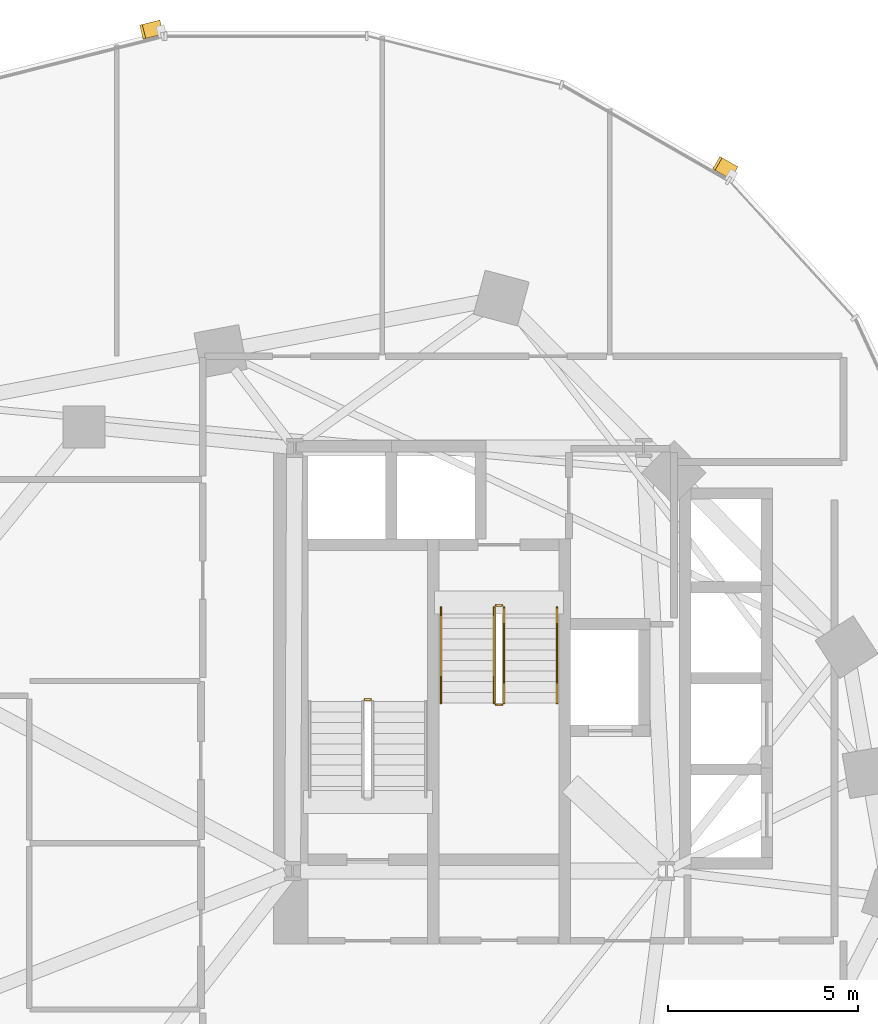
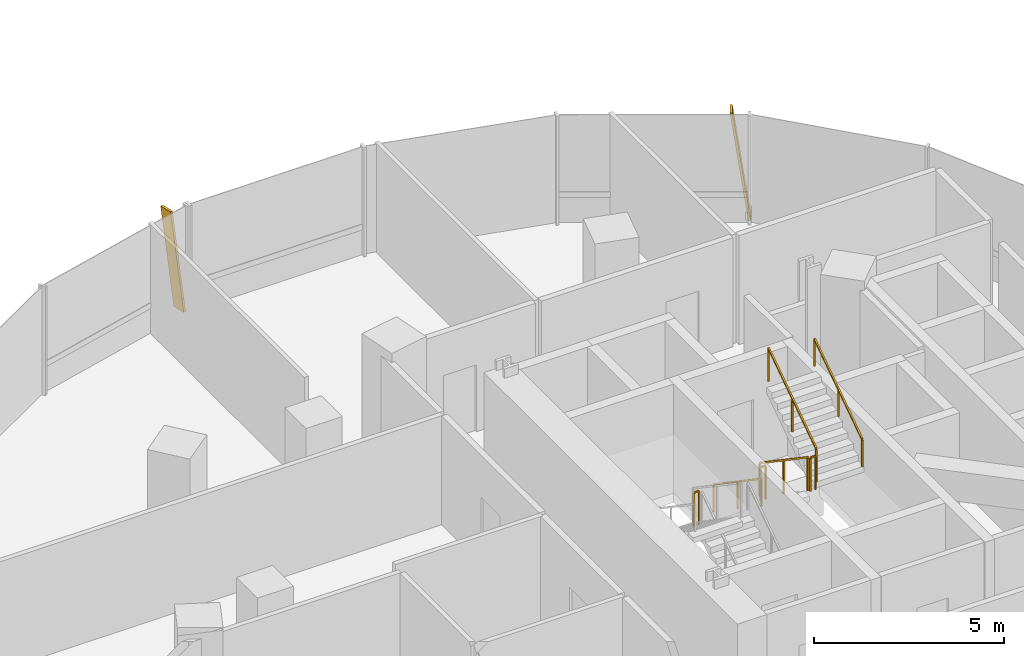
# One storey, part 20 of 22: 7 railings, 2 shading devices.
"""IFC4 building model written with IfcOpenShell, lengths in metres."""

from ifc_helpers import new_model, si_unit, direction, frame, origin, origin_2d, place, context, subcontext, project, spatial, rectangle, extrude, material, material_profile, profile_set, type_object, element, save


model = new_model("IFC4")

# Units and contexts
model_context = context("Model", 3, precision=1e-05, world=origin(), true_north=direction((0.0, 1.0)))
body_context = subcontext(model_context, "Body", "Model", "MODEL_VIEW")
ifc_project = project(units=[si_unit("LENGTHUNIT", "METRE"), si_unit("AREAUNIT", "SQUARE_METRE"), si_unit("VOLUMEUNIT", "CUBIC_METRE"), si_unit("PLANEANGLEUNIT", "RADIAN"), si_unit("MASSUNIT", "GRAM", prefix="KILO"), si_unit("THERMODYNAMICTEMPERATUREUNIT", "KELVIN"), si_unit("POWERUNIT", "WATT")], contexts=[model_context])

# Site, building, storey
site_placement = place(None, origin())
site = spatial("IfcSite", under=ifc_project, at=site_placement, CompositionType="ELEMENT")
building_placement = place(site_placement, origin())
building = spatial("IfcBuilding", under=site, at=building_placement, Name="Cundina Bronze Exchange", CompositionType="ELEMENT")
storey_placement = place(building_placement, frame((0.0, 0.0, 43.0)))
storey = spatial("IfcBuildingStorey", under=building, at=storey_placement, Name="L10", CompositionType="ELEMENT", Elevation=43.0)

# Railings
ifc_material_1 = material(Name="Steel ASTM A36 Painted", Category="steel")
railing_type_1 = type_object("IfcRailingType", Name="RLG-HND-900", PredefinedType="HANDRAIL", material=ifc_material_1)
railing_1_placement = place(storey_placement, frame((-27.389892578125, 10.85009765625, 0.18994140625)))
element("IfcRailing", 1, at=railing_1_placement, inside=storey, type_object=railing_type_1, Name="L10 ST-W2 stair handrail 1", PredefinedType="HANDRAIL", context=body_context, shape_type="SweptSolid", body=[
    extrude(rectangle(XDim=0.048095703125, YDim=0.048095703125, at=origin_2d()), frame((0.0, 0.0, 0.8759765625), z_axis=(0.0, -0.827483756001, 0.561489655786), x_axis=(1.0, 0.0, 0.0)), (0.0, 0.0, 1.0), 3.04541015625),
    extrude(rectangle(XDim=0.0419921875, YDim=0.0419921875, at=origin_2d()), origin(), (0.0, 0.0, 1.0), 0.851806640625),
    extrude(rectangle(XDim=0.0419921875, YDim=0.0419921875, at=origin_2d()), frame((0.0, -1.260009765625, 0.85498046875)), (0.0, 0.0, 1.0), 0.851806640625),
    extrude(rectangle(XDim=0.0419921875, YDim=0.0419921875, at=origin_2d()), frame((0.0, -2.52001953125, 1.7099609375)), (0.0, 0.0, 1.0), 0.851806640625),
])
railing_2_placement = place(storey_placement, frame((-24.330078125, 8.330078125, 2.090087890625)))
element("IfcRailing", 2, at=railing_2_placement, inside=storey, type_object=railing_type_1, Name="L10 ST-W2 stair handrail 2", PredefinedType="HANDRAIL", context=body_context, shape_type="SweptSolid", body=[
    extrude(rectangle(XDim=0.048095703125, YDim=0.048095703125, at=origin_2d()), frame((0.0, 0.0, 0.8759765625), z_axis=(0.0, 0.827483756001, 0.561489655786), x_axis=(-1.0, 0.0, 0.0)), (0.0, 0.0, 1.0), 3.04541015625),
    extrude(rectangle(XDim=0.0419921875, YDim=0.0419921875, at=origin_2d()), origin(), (0.0, 0.0, 1.0), 0.851806640625),
    extrude(rectangle(XDim=0.0419921875, YDim=0.0419921875, at=origin_2d()), frame((0.0, 1.260009765625, 0.85498046875)), (0.0, 0.0, 1.0), 0.851806640625),
    extrude(rectangle(XDim=0.0419921875, YDim=0.0419921875, at=origin_2d()), frame((0.0, 2.52001953125, 1.7099609375)), (0.0, 0.0, 1.0), 0.851806640625),
])
railing_type_2 = type_object("IfcRailingType", Name="RLG-STG-1100", PredefinedType="GUARDRAIL", material=ifc_material_1)
railing_3_placement = place(storey_placement, frame((-29.239990234375, 8.419921875, 1.89990234375)))
element("IfcRailing", 3, at=railing_3_placement, inside=storey, type_object=railing_type_2, Name="L10 ST-W1 stair guard 2", PredefinedType="GUARDRAIL", context=body_context, shape_type="SweptSolid", body=[
    extrude(rectangle(XDim=0.048095703125, YDim=0.048095703125, at=origin_2d()), frame((0.0, 0.0, 1.076171875), z_axis=(-1.0, 0.0, 0.0), x_axis=(0.0, -1.0, 0.0)), (0.0, 0.0, 1.0), 0.159912109375),
    extrude(rectangle(XDim=0.0419921875, YDim=0.0419921875, at=origin_2d()), origin(), (0.0, 0.0, 1.0), 1.052001953125),
    extrude(rectangle(XDim=0.0419921875, YDim=0.0419921875, at=origin_2d()), frame((-0.159912109375, 0.0, 0.0)), (0.0, 0.0, 1.0), 1.052001953125),
])
railing_4_placement = place(storey_placement, frame((-25.989990234375, 10.85009765625, 0.18994140625)))
element("IfcRailing", 4, at=railing_4_placement, inside=storey, type_object=railing_type_2, Name="L10 ST-W2 stair guard 1", PredefinedType="GUARDRAIL", context=body_context, shape_type="SweptSolid", body=[
    extrude(rectangle(XDim=0.048095703125, YDim=0.048095703125, at=origin_2d()), frame((0.0, 0.0, 1.076171875), z_axis=(0.0, -0.827483756001, 0.561489655786), x_axis=(1.0, 0.0, 0.0)), (0.0, 0.0, 1.0), 3.04541015625),
    extrude(rectangle(XDim=0.0419921875, YDim=0.0419921875, at=origin_2d()), origin(), (0.0, 0.0, 1.0), 1.052001953125),
    extrude(rectangle(XDim=0.0419921875, YDim=0.0419921875, at=origin_2d()), frame((0.0, -1.260009765625, 0.85498046875)), (0.0, 0.0, 1.0), 1.052001953125),
    extrude(rectangle(XDim=0.0419921875, YDim=0.0419921875, at=origin_2d()), frame((0.0, -2.52001953125, 1.7099609375)), (0.0, 0.0, 1.0), 1.052001953125),
])
railing_5_placement = place(storey_placement, frame((-25.93994140625, 8.280029296875, 1.89990234375)))
element("IfcRailing", 5, at=railing_5_placement, inside=storey, type_object=railing_type_2, Name="L10 ST-W2 stair guard 2", PredefinedType="GUARDRAIL", context=body_context, shape_type="SweptSolid", body=[
    extrude(rectangle(XDim=0.048095703125, YDim=0.048095703125, at=origin_2d()), frame((0.0, 0.0, 1.076171875), z_axis=(1.0, 0.0, 0.0), x_axis=(0.0, 1.0, 0.0)), (0.0, 0.0, 1.0), 0.159912109375),
    extrude(rectangle(XDim=0.0419921875, YDim=0.0419921875, at=origin_2d()), origin(), (0.0, 0.0, 1.0), 1.052001953125),
    extrude(rectangle(XDim=0.0419921875, YDim=0.0419921875, at=origin_2d()), frame((0.159912109375, 0.0, 0.0)), (0.0, 0.0, 1.0), 1.052001953125),
])
railing_6_placement = place(storey_placement, frame((-25.72998046875, 8.330078125, 2.090087890625)))
element("IfcRailing", 6, at=railing_6_placement, inside=storey, type_object=railing_type_2, Name="L10 ST-W2 stair guard 3", PredefinedType="GUARDRAIL", context=body_context, shape_type="SweptSolid", body=[
    extrude(rectangle(XDim=0.048095703125, YDim=0.048095703125, at=origin_2d()), frame((0.0, 0.0, 1.076171875), z_axis=(0.0, 0.827483756001, 0.561489655786), x_axis=(-1.0, 0.0, 0.0)), (0.0, 0.0, 1.0), 3.04541015625),
    extrude(rectangle(XDim=0.0419921875, YDim=0.0419921875, at=origin_2d()), origin(), (0.0, 0.0, 1.0), 1.052001953125),
    extrude(rectangle(XDim=0.0419921875, YDim=0.0419921875, at=origin_2d()), frame((0.0, 1.260009765625, 0.85498046875)), (0.0, 0.0, 1.0), 1.052001953125),
    extrude(rectangle(XDim=0.0419921875, YDim=0.0419921875, at=origin_2d()), frame((0.0, 2.52001953125, 1.7099609375)), (0.0, 0.0, 1.0), 1.052001953125),
])
railing_7_placement = place(storey_placement, frame((-25.93994140625, 10.89990234375, 0.0)))
element("IfcRailing", 7, at=railing_7_placement, inside=storey, type_object=railing_type_2, Name="L10 ST-W2 stair guard 4", PredefinedType="GUARDRAIL", context=body_context, shape_type="SweptSolid", body=[
    extrude(rectangle(XDim=0.048095703125, YDim=0.048095703125, at=origin_2d()), frame((0.0, 0.0, 1.076171875), z_axis=(1.0, 0.0, 0.0), x_axis=(0.0, 1.0, 0.0)), (0.0, 0.0, 1.0), 0.159912109375),
    extrude(rectangle(XDim=0.0419921875, YDim=0.0419921875, at=origin_2d()), origin(), (0.0, 0.0, 1.0), 1.052001953125),
    extrude(rectangle(XDim=0.0419921875, YDim=0.0419921875, at=origin_2d()), frame((0.159912109375, 0.0, 0.0)), (0.0, 0.0, 1.0), 1.052001953125),
])

# Shading devices
ifc_material_2 = material(Name="Anodised Bronze Aluminium 6063-T6", Category="aluminium")
ifc_material_profile = material_profile(ifc_material_2, rectangle(XDim=0.070068359375, YDim=0.3798828125, at=origin_2d()), Name="FIN70X380", Category="aluminium")
ifc_profile_set = profile_set([ifc_material_profile], Name="Anodised Bronze Aluminium 6063-T6")
shading_device_type = type_object("IfcShadingDeviceType", Name="SHD-FIN-BRZ380", PredefinedType="USERDEFINED", material=ifc_profile_set)
for number, where, z_axis, x_axis, name in (
    (8, (-19.685791015625, 22.314208984375, 0.02001953125), (-0.119166378275, 0.06842456559, 0.990513731915), (0.85898178632, -0.493221799887, 0.137413779831), "L10 Diagonal Bronze Solar Fin 5"),
    (9, (-34.787353515625, 26.138427734375, 0.02001953125), (-0.133214830938, -0.033688115694, 0.990514472221), (0.960284642503, 0.242842181368, 0.137408443412), "L10 Diagonal Bronze Solar Fin 1"),
):
    element("IfcShadingDevice", number, at=place(storey_placement, frame(where, z_axis=z_axis, x_axis=x_axis)), inside=storey, type_object=shading_device_type, Name=name, ObjectType="FIN", PredefinedType="USERDEFINED", context=body_context, shape_type="SweptSolid", body=[
        extrude(rectangle(XDim=0.070068359375, YDim=0.3798828125, at=origin_2d()), origin(), (0.0, 0.0, 1.0), 3.4931640625),
    ])

save(model, "model.ifc")
